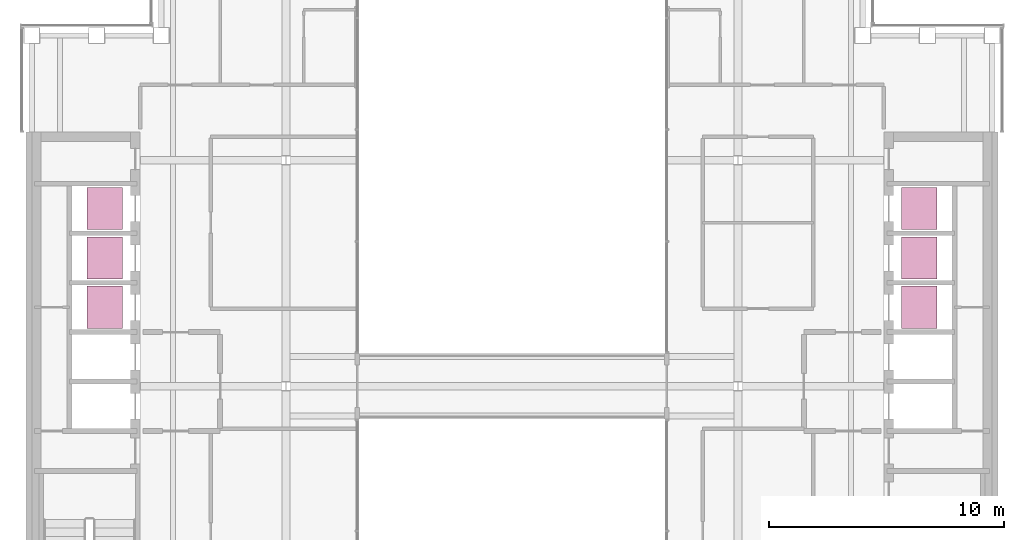
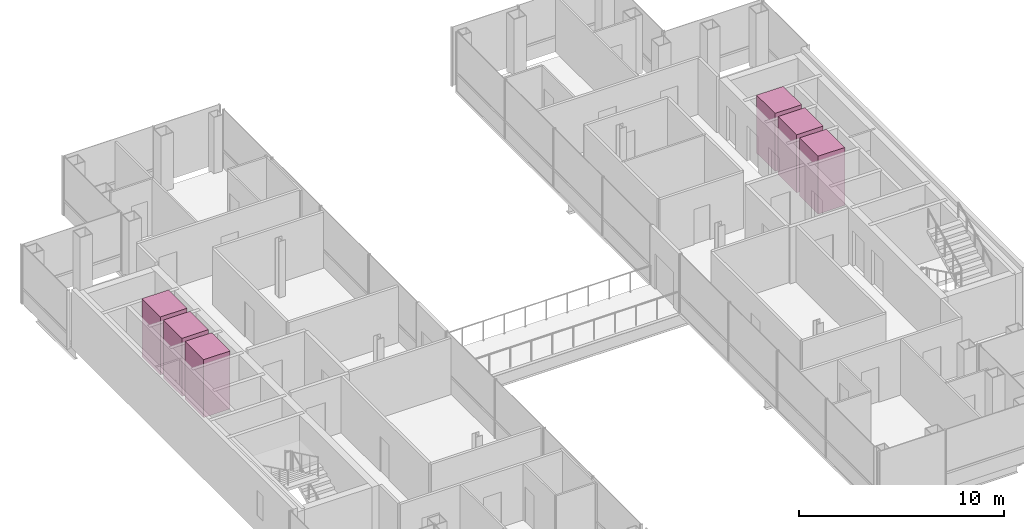
# One storey, part 15 of 15: 6 transport elements.
"""IFC4 building model written with IfcOpenShell, lengths in metres."""

from ifc_helpers import new_model, si_unit, direction, frame, origin, origin_2d, place, context, subcontext, project, spatial, rectangle, extrude, material, type_object, element, save


model = new_model("IFC4")

# Units and contexts
model_context = context("Model", 3, precision=1e-05, world=origin(), true_north=direction((0.0, 1.0)))
body_context = subcontext(model_context, "Body", "Model", "MODEL_VIEW")
ifc_project = project(units=[si_unit("LENGTHUNIT", "METRE"), si_unit("AREAUNIT", "SQUARE_METRE"), si_unit("VOLUMEUNIT", "CUBIC_METRE"), si_unit("PLANEANGLEUNIT", "RADIAN"), si_unit("MASSUNIT", "GRAM", prefix="KILO")], contexts=[model_context])

# Site, building, storey
site_placement = place(None, origin())
site = spatial("IfcSite", under=ifc_project, at=site_placement, CompositionType="ELEMENT")
building_placement = place(site_placement, origin())
building = spatial("IfcBuilding", under=site, at=building_placement, Name="Cobrizo Arcos Hotel Tower", CompositionType="ELEMENT")
storey_placement = place(building_placement, frame((0.0, 0.0, 222.5)))
storey = spatial("IfcBuildingStorey", under=building, at=storey_placement, Name="L58", CompositionType="ELEMENT", Elevation=222.5)

# Transport elements
ifc_material = material(Name="Stainless steel car", Category="steel")
transport_element_type = type_object("IfcTransportElementType", Name="Lift car High 1.8x1.5", PredefinedType="ELEVATOR", material=ifc_material)
for number, where, z_axis, x_axis, name in (
    (1, (-17.300048828125, 3.35009765625, 0.0), (0.0, 0.0, 1.0), (1.0, 0.0, 0.0), "High-rise passenger lift W1"),
    (2, (-17.300048828125, 5.449951171875, 0.0), (0.0, 0.0, 1.0), (1.0, 0.0, 0.0), "High-rise passenger lift W2"),
    (3, (-17.300048828125, 7.550048828125, 0.0), (0.0, 0.0, 1.0), (1.0, 0.0, 0.0), "High-rise passenger lift W3"),
    (4, (17.300048828125, 3.35009765625, 0.0), (0.0, 0.0, 1.0), (1.0, 0.0, 0.0), "High-rise passenger lift E1"),
    (5, (17.300048828125, 5.449951171875, 0.0), (0.0, 0.0, 1.0), (1.0, 0.0, 0.0), "High-rise passenger lift E2"),
    (6, (17.300048828125, 7.550048828125, 0.0), (0.0, 0.0, 1.0), (1.0, 0.0, 0.0), "High-rise passenger lift E3"),
):
    element("IfcTransportElement", number, at=place(storey_placement, frame(where, z_axis=z_axis, x_axis=x_axis)), inside=storey, type_object=transport_element_type, Name=name, PredefinedType="ELEVATOR", context=body_context, shape_type="SweptSolid", body=[
        extrude(rectangle(XDim=1.5, YDim=1.800048828125, at=origin_2d()), origin(), (0.0, 0.0, 1.0), 3.449951171875),
    ])

save(model, "model.ifc")
